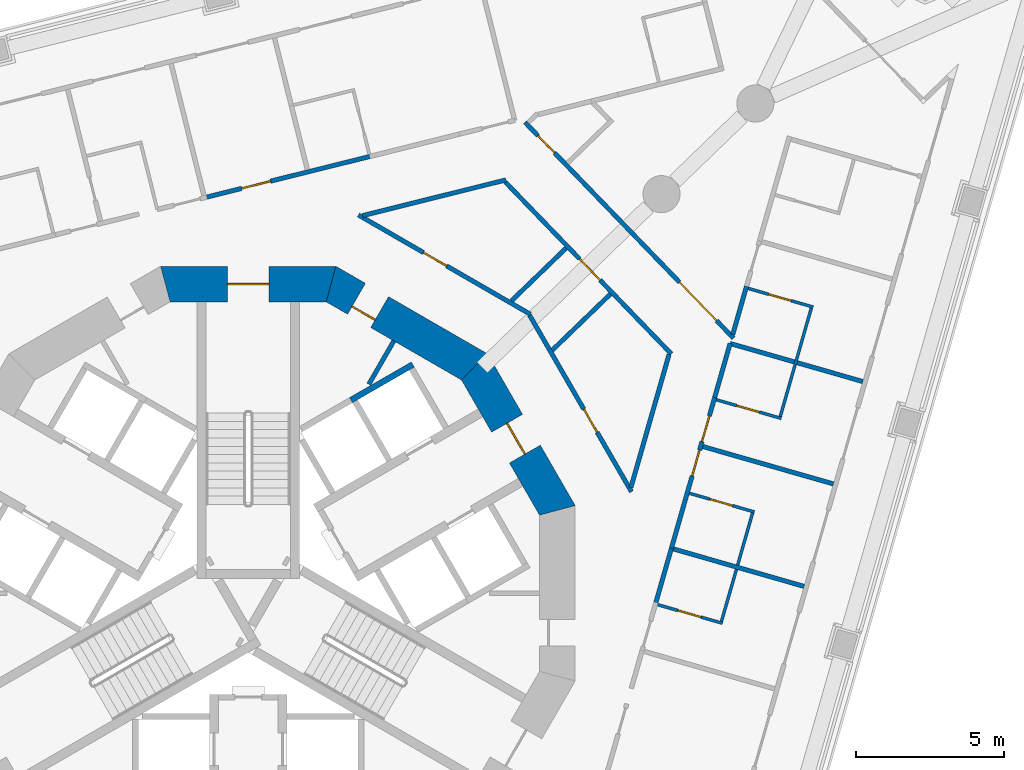
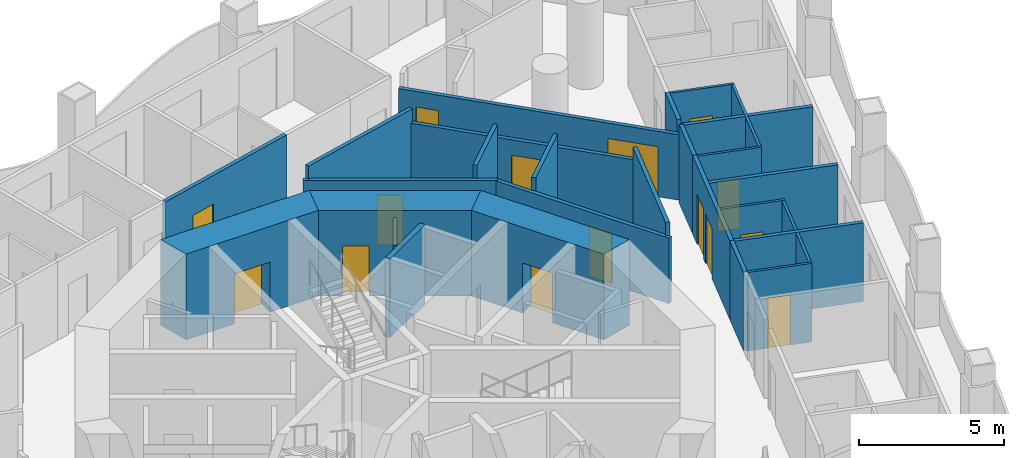
# One storey, part 10 of 20: 28 walls, 15 doors, 15 openings.
"""IFC4 building model written with IfcOpenShell, lengths in metres."""

from ifc_helpers import new_model, si_unit, direction, frame, frame_2d, origin, place, context, subcontext, project, spatial, polyline, rectangle, outline, extrude, material, layer, layer_set, type_object, element, fill, save


model = new_model("IFC4")

# Units and contexts
model_context = context("Model", 3, precision=1e-05, world=origin(), true_north=direction((0.0, 1.0)))
body_context = subcontext(model_context, "Body", "Model", "MODEL_VIEW")
ifc_project = project(units=[si_unit("LENGTHUNIT", "METRE"), si_unit("AREAUNIT", "SQUARE_METRE"), si_unit("VOLUMEUNIT", "CUBIC_METRE"), si_unit("PLANEANGLEUNIT", "RADIAN"), si_unit("MASSUNIT", "GRAM", prefix="KILO")], contexts=[model_context])

# Site, building, storey
site_placement = place(None, origin())
site = spatial("IfcSite", under=ifc_project, at=site_placement, CompositionType="ELEMENT")
building_placement = place(site_placement, origin())
building = spatial("IfcBuilding", under=site, at=building_placement, Name="Trine Commons Tower", CompositionType="ELEMENT")
storey_placement = place(building_placement, frame((0.0, 0.0, 108.89990234375)))
storey = spatial("IfcBuildingStorey", under=building, at=storey_placement, Name="L27", CompositionType="ELEMENT", Elevation=108.89990234375)

# Wall
ifc_material_1 = material(Name="Plasterboard partition on steel studs", Category="steel")
ifc_layer_1 = layer(ifc_material_1, 0.14990234375)
ifc_layer_set_1 = layer_set([ifc_layer_1], Name="Plasterboard partition on steel studs")
wall_type_1 = type_object("IfcWallType", Name="Core room partition 150 mm, EI 60", PredefinedType="PARTITIONING", material=ifc_layer_set_1)
wall_1_placement = place(storey_placement, frame((84.905029296875, 70.9970703125, 0.0), z_axis=(0.0, 0.0, 1.0), x_axis=(-0.500115728942, -0.865958577338, 0.0)))
element("IfcWall", 1, at=wall_1_placement, inside=storey, type_object=wall_type_1, Name="Core room partition L27", PredefinedType="PARTITIONING", context=body_context, shape_type="SweptSolid", body=[
    extrude(rectangle(XDim=1.68359375, YDim=0.14990234375, at=frame_2d((0.841796875, 0.0))), origin(), (0.0, 0.0, 1.0), 3.300048828125),
])

# Wall, opening, door
ifc_material_2 = material(Name="Concrete C70/85", Category="concrete")
ifc_layer_2 = layer(ifc_material_2, 1.199951171875)
ifc_layer_set_2 = layer_set([ifc_layer_2], Name="Concrete C70/85")
wall_type_2 = type_object("IfcWallType", Name="RC shear wall 1200 mm, C70/85", PredefinedType="SHEAR", material=ifc_layer_set_2)
wall_2_placement = place(storey_placement, frame((90.491943359375, 65.150390625, 0.0), z_axis=(0.0, 0.0, 1.0), x_axis=(-0.499979111662, 0.866037463336, 0.0)))
wall_2 = element("IfcWall", 2, at=wall_2_placement, inside=storey, type_object=wall_type_2, Name="Core wall CWC-02 L27", PredefinedType="SHEAR", context=body_context, shape_type="SweptSolid", body=[
    extrude(outline(polyline([(0.0, -0.60009765625), (5.901123046875, -0.60009765625), (5.57958984375, 0.60009765625), (0.321533203125, 0.60009765625), (0.0, -0.60009765625)])), origin(), (0.0, 0.0, 1.0), 3.60009765625),
])
opening_1_placement = place(wall_2_placement, frame((2.3505859375, 0.0, 0.0)))
opening_1 = element("IfcOpeningElement", 3, at=opening_1_placement, cuts=wall_2, Name="Opening K06.04", PredefinedType="OPENING", context=body_context, shape_type="SweptSolid", body=[
    extrude(rectangle(XDim=1.199951171875, YDim=2.10009765625, at=frame_2d((0.60009765625, 1.050048828125))), frame((0.0, 0.60986328125, 0.0), z_axis=(0.0, -1.0, 0.0), x_axis=(1.0, 0.0, 0.0)), (0.0, 0.0, 1.0), 1.219970703125),
])
ifc_material_3 = material(Name="Steel door leaves, fire-rated", Category="steel")
door_type_1 = type_object("IfcDoorType", Name="Lobby door, double leaf 1200 x 2100, FD60", OperationType="DOUBLE_DOOR_SINGLE_SWING", PredefinedType="DOOR", material=ifc_material_3)
door_1_placement = place(opening_1_placement, origin())
door_1 = element("IfcDoor", 4, at=door_1_placement, inside=storey, type_object=door_type_1, Name="Lobby door, Passenger lift lobby A L27", OperationType="DOUBLE_DOOR_SINGLE_SWING", OverallHeight=2.10009765625, OverallWidth=1.199951171875, PredefinedType="DOOR", context=body_context, shape_type="SweptSolid", body=[
    extrude(rectangle(XDim=1.199951171875, YDim=2.10009765625, at=frame_2d((0.60009765625, 1.050048828125))), frame((0.0, 0.02490234375, 0.0), z_axis=(0.0, -1.0, 0.0), x_axis=(1.0, 0.0, 0.0)), (0.0, 0.0, 1.0), 0.050048828125),
])
fill(opening_1, door_1)

wall_3_placement = place(storey_placement, frame((87.760986328125, 70.04150390625, 0.0), z_axis=(0.0, 0.0, 1.0), x_axis=(-0.866037463336, 0.499979111662, 0.0)))
wall_3 = element("IfcWall", 5, at=wall_3_placement, inside=storey, type_object=wall_type_2, Name="Core wall CWC-03 L27", PredefinedType="SHEAR", context=body_context, shape_type="SweptSolid", body=[
    extrude(outline(polyline([(0.0, -0.60009765625), (5.901123046875, -0.60009765625), (5.57958984375, 0.60009765625), (0.321533203125, 0.60009765625), (0.0, -0.60009765625)])), origin(), (0.0, 0.0, 1.0), 3.60009765625),
])
opening_2_placement = place(wall_3_placement, frame((3.8515625, 0.0, 0.0)))
opening_2 = element("IfcOpeningElement", 6, at=opening_2_placement, cuts=wall_3, Name="Opening K06.12", PredefinedType="OPENING", context=body_context, shape_type="SweptSolid", body=[
    extrude(rectangle(XDim=0.89990234375, YDim=2.10009765625, at=frame_2d((0.449951171875, 1.050048828125))), frame((0.0, 0.60986328125, 0.0), z_axis=(0.0, -1.0, 0.0), x_axis=(1.0, 0.0, 0.0)), (0.0, 0.0, 1.0), 1.219970703125),
])
ifc_material_4 = material(Name="Steel door leaf, fire-rated", Category="steel")
door_type_2 = type_object("IfcDoorType", Name="Core room door, single leaf 900 x 2100, FD30S", OperationType="SINGLE_SWING_LEFT", PredefinedType="DOOR", material=ifc_material_4)
door_2_placement = place(opening_2_placement, origin())
door_2 = element("IfcDoor", 7, at=door_2_placement, inside=storey, type_object=door_type_2, Name="Door to Cleaner's store L27", OperationType="SINGLE_SWING_RIGHT", OverallHeight=2.10009765625, OverallWidth=0.89990234375, PredefinedType="DOOR", context=body_context, shape_type="SweptSolid", body=[
    extrude(rectangle(XDim=0.89990234375, YDim=2.10009765625, at=frame_2d((0.449951171875, 1.050048828125))), frame((0.0, 0.3251953125, 0.0), z_axis=(0.0, -1.0, 0.0), x_axis=(1.0, 0.0, 0.0)), (0.0, 0.0, 1.0), 0.050048828125),
])
fill(opening_2, door_2)

wall_4_placement = place(storey_placement, frame((82.950439453125, 72.91162109375, 0.0), z_axis=(0.0, 0.0, 1.0), x_axis=(-1.0, 0.0, 0.0)))
wall_4 = element("IfcWall", 8, at=wall_4_placement, inside=storey, type_object=wall_type_2, Name="Core wall CWC-04 L27", PredefinedType="SHEAR", context=body_context, shape_type="SweptSolid", body=[
    extrude(outline(polyline([(0.0, -0.60009765625), (5.90087890625, -0.60009765625), (5.57958984375, 0.60009765625), (0.321533203125, 0.60009765625), (0.0, -0.60009765625)])), origin(), (0.0, 0.0, 1.0), 3.60009765625),
])
opening_3_placement = place(wall_4_placement, frame((2.25048828125, 0.0, 0.0)))
opening_3 = element("IfcOpeningElement", 9, at=opening_3_placement, cuts=wall_4, Name="Opening K06.01", PredefinedType="OPENING", context=body_context, shape_type="SweptSolid", body=[
    extrude(rectangle(XDim=1.39990234375, YDim=2.10009765625, at=frame_2d((0.699951171875, 1.050048828125))), frame((0.0, 0.60986328125, 0.0), z_axis=(0.0, -1.0, 0.0), x_axis=(1.0, 0.0, 0.0)), (0.0, 0.0, 1.0), 1.219970703125),
])
door_type_3 = type_object("IfcDoorType", Name="Stair door, double leaf 1400 x 2100, FD90", OperationType="DOUBLE_DOOR_SINGLE_SWING", PredefinedType="DOOR", material=ifc_material_3)
door_3_placement = place(opening_3_placement, origin())
door_3 = element("IfcDoor", 10, at=door_3_placement, inside=storey, type_object=door_type_3, Name="Stair door to Exit stair ST1A L27", OperationType="DOUBLE_DOOR_SINGLE_SWING", OverallHeight=2.10009765625, OverallWidth=1.39990234375, PredefinedType="DOOR", context=body_context, shape_type="SweptSolid", body=[
    extrude(rectangle(XDim=1.39990234375, YDim=2.10009765625, at=frame_2d((0.699951171875, 1.050048828125))), frame((0.0, 0.02490234375, 0.0), z_axis=(0.0, -1.0, 0.0), x_axis=(1.0, 0.0, 0.0)), (0.0, 0.0, 1.0), 0.050048828125),
])
fill(opening_3, door_3)

# Wall
ifc_material_5 = material(Name="Fire-rated gypsum shaft wall system")
ifc_layer_3 = layer(ifc_material_5, 0.199951171875)
ifc_layer_set_3 = layer_set([ifc_layer_3], Name="Fire-rated gypsum shaft wall system")
wall_type_3 = type_object("IfcWallType", Name="Shaft wall 200 mm, EI 120", PredefinedType="PARTITIONING", material=ifc_layer_set_3)
wall_5_placement = place(storey_placement, frame((83.4619140625, 69.001953125, 0.0), z_axis=(0.0, 0.0, 1.0), x_axis=(0.866202511239, 0.499693115345, 0.0)))
element("IfcWall", 11, at=wall_5_placement, inside=storey, type_object=wall_type_3, Name="Shaft wall L27", PredefinedType="PARTITIONING", context=body_context, shape_type="SweptSolid", body=[
    extrude(rectangle(XDim=2.4013671875, YDim=0.199951171875, at=frame_2d((1.20068359375, 0.0))), origin(), (0.0, 0.0, 1.0), 3.300048828125),
])

# Wall, opening, door
ifc_material_6 = material(Name="Gypsum plasterboard on steel stud", Category="steel")
ifc_layer_4 = layer(ifc_material_6, 0.14990234375)
ifc_layer_set_4 = layer_set([ifc_layer_4], Name="Gypsum plasterboard on steel stud")
wall_type_4 = type_object("IfcWallType", Name="Unit and corridor wall 150 mm, EI 60", PredefinedType="PARTITIONING", material=ifc_layer_set_4)
wall_6_placement = place(storey_placement, frame((78.52392578125, 75.820068359375, 0.0), z_axis=(0.0, 0.0, 1.0), x_axis=(0.970305795141, 0.241881508008, 0.0)))
wall_6 = element("IfcWall", 12, at=wall_6_placement, inside=storey, type_object=wall_type_4, Name="Partition 067", PredefinedType="PARTITIONING", context=body_context, shape_type="SweptSolid", body=[
    extrude(rectangle(XDim=5.796630859375, YDim=0.14990234375, at=frame_2d((2.8984375, 0.0))), origin(), (0.0, 0.0, 1.0), 3.300048828125),
])
opening_4_placement = place(wall_6_placement, frame((1.29833984375, 0.0, 0.0)))
opening_4 = element("IfcOpeningElement", 13, at=opening_4_placement, cuts=wall_6, Name="Opening D-3C13", PredefinedType="OPENING", context=body_context, shape_type="SweptSolid", body=[
    extrude(rectangle(XDim=1.0, YDim=2.10009765625, at=frame_2d((0.5, 1.050048828125))), frame((0.0, 0.0849609375, 0.0), z_axis=(0.0, -1.0, 0.0), x_axis=(1.0, 0.0, 0.0)), (0.0, 0.0, 1.0), 0.169921875),
])
ifc_material_7 = material(Name="Painted timber", Category="wood")
door_type_4 = type_object("IfcDoorType", Name="Amenity room door 1000 x 2100, NOT RATED", OperationType="NOTDEFINED", PredefinedType="DOOR", material=ifc_material_7)
door_4_placement = place(opening_4_placement, origin())
door_4 = element("IfcDoor", 14, at=door_4_placement, inside=storey, type_object=door_type_4, Name="Door D-3C13", OperationType="SINGLE_SWING_LEFT", OverallHeight=2.10009765625, OverallWidth=1.0, PredefinedType="DOOR", context=body_context, shape_type="SweptSolid", body=[
    extrude(rectangle(XDim=1.0, YDim=2.10009765625, at=frame_2d((0.5, 1.050048828125))), frame((0.0, 0.02490234375, 0.0), z_axis=(0.0, -1.0, 0.0), x_axis=(1.0, 0.0, 0.0)), (0.0, 0.0, 1.0), 0.050048828125),
])
fill(opening_4, door_4)

wall_7_placement = place(storey_placement, frame((83.7119140625, 75.237548828125, 0.0), z_axis=(0.0, 0.0, 1.0), x_axis=(0.866033484359, -0.499986003774, 0.0)))
wall_7 = element("IfcWall", 15, at=wall_7_placement, inside=storey, type_object=wall_type_4, Name="Partition 084", PredefinedType="PARTITIONING", context=body_context, shape_type="SweptSolid", body=[
    extrude(rectangle(XDim=6.682373046875, YDim=0.14990234375, at=frame_2d((3.34130859375, 0.0))), origin(), (0.0, 0.0, 1.0), 2.75),
])
opening_5_placement = place(wall_7_placement, frame((2.53271484375, 0.0, 0.0)))
opening_5 = element("IfcOpeningElement", 16, at=opening_5_placement, cuts=wall_7, Name="Opening D-3C35", PredefinedType="OPENING", context=body_context, shape_type="SweptSolid", body=[
    extrude(rectangle(XDim=0.89990234375, YDim=2.10009765625, at=frame_2d((0.449951171875, 1.050048828125))), frame((0.0, 0.0849609375, 0.0), z_axis=(0.0, -1.0, 0.0), x_axis=(1.0, 0.0, 0.0)), (0.0, 0.0, 1.0), 0.169921875),
])
ifc_material_8 = material(Name="Timber fire door set", Category="wood")
door_type_5 = type_object("IfcDoorType", Name="Service door 900 x 2100, FD30S", OperationType="NOTDEFINED", PredefinedType="DOOR", material=ifc_material_8)
door_5_placement = place(opening_5_placement, origin())
door_5 = element("IfcDoor", 17, at=door_5_placement, inside=storey, type_object=door_type_5, Name="Door D-3C35", OperationType="SINGLE_SWING_LEFT", OverallHeight=2.10009765625, OverallWidth=0.89990234375, PredefinedType="DOOR", context=body_context, shape_type="SweptSolid", body=[
    extrude(rectangle(XDim=0.89990234375, YDim=2.10009765625, at=frame_2d((0.449951171875, 1.050048828125))), frame((0.0, 0.02490234375, 0.0), z_axis=(0.0, -1.0, 0.0), x_axis=(1.0, 0.0, 0.0)), (0.0, 0.0, 1.0), 0.050048828125),
])
fill(opening_5, door_5)

# Wall
wall_8_placement = place(storey_placement, frame((83.852783203125, 75.216064453125, 0.0), z_axis=(0.0, 0.0, 1.0), x_axis=(0.970312588938, 0.241854253112, 0.0)))
element("IfcWall", 18, at=wall_8_placement, inside=storey, type_object=wall_type_4, Name="Partition 085", PredefinedType="PARTITIONING", context=body_context, shape_type="SweptSolid", body=[
    extrude(rectangle(XDim=4.974609375, YDim=0.14990234375, at=frame_2d((2.4873046875, 0.0))), origin(), (0.0, 0.0, 1.0), 3.300048828125),
])

# Wall, opening, door
wall_9_placement = place(storey_placement, frame((88.6591796875, 76.34716796875, 0.0), z_axis=(0.0, 0.0, 1.0), x_axis=(0.694672534157, -0.719326122345, 0.0)))
wall_9 = element("IfcWall", 19, at=wall_9_placement, inside=storey, type_object=wall_type_4, Name="Partition 106", PredefinedType="PARTITIONING", context=body_context, shape_type="SweptSolid", body=[
    extrude(rectangle(XDim=8.041015625, YDim=0.14990234375, at=frame_2d((4.0205078125, 0.0))), origin(), (0.0, 0.0, 1.0), 2.75),
])
opening_6_placement = place(wall_9_placement, frame((3.595458984375, 0.0, 0.0)))
opening_6 = element("IfcOpeningElement", 20, at=opening_6_placement, cuts=wall_9, Name="Opening D-3C42", PredefinedType="OPENING", context=body_context, shape_type="SweptSolid", body=[
    extrude(rectangle(XDim=1.0, YDim=2.10009765625, at=frame_2d((0.5, 1.050048828125))), frame((0.0, 0.0849609375, 0.0), z_axis=(0.0, -1.0, 0.0), x_axis=(1.0, 0.0, 0.0)), (0.0, 0.0, 1.0), 0.169921875),
])
door_type_6 = type_object("IfcDoorType", Name="Toilet door 1000 x 2100, NOT RATED", OperationType="NOTDEFINED", PredefinedType="DOOR", material=ifc_material_7)
door_6_placement = place(opening_6_placement, frame((1.0, 0.0, 0.0), z_axis=(0.0, 0.0, 1.0), x_axis=(-1.0, 0.0, 0.0)))
door_6 = element("IfcDoor", 21, at=door_6_placement, inside=storey, type_object=door_type_6, Name="Door D-3C42", OperationType="SINGLE_SWING_LEFT", OverallHeight=2.10009765625, OverallWidth=1.0, PredefinedType="DOOR", context=body_context, shape_type="SweptSolid", body=[
    extrude(rectangle(XDim=1.0, YDim=2.10009765625, at=frame_2d((0.5, 1.050048828125))), frame((0.0, 0.02490234375, 0.0), z_axis=(0.0, -1.0, 0.0), x_axis=(1.0, 0.0, 0.0)), (0.0, 0.0, 1.0), 0.050048828125),
])
fill(opening_6, door_6)

# Wall
wall_10_placement = place(storey_placement, frame((88.864013671875, 72.34619140625, 0.0), z_axis=(0.0, 0.0, 1.0), x_axis=(0.719366900494, 0.694630306332, 0.0)))
element("IfcWall", 22, at=wall_10_placement, inside=storey, type_object=wall_type_4, Name="Partition 107", PredefinedType="PARTITIONING", context=body_context, shape_type="SweptSolid", body=[
    extrude(rectangle(XDim=2.55615234375, YDim=0.14990234375, at=frame_2d((1.278076171875, 0.0))), origin(), (0.0, 0.0, 1.0), 3.300048828125),
])

# Wall, openings, doors
wall_11_placement = place(storey_placement, frame((89.322998046875, 78.35791015625, 0.0), z_axis=(0.0, 0.0, 1.0), x_axis=(0.694707851552, -0.719292013713, 0.0)))
wall_11 = element("IfcWall", 23, at=wall_11_placement, inside=storey, type_object=wall_type_4, Name="Partition 112", PredefinedType="PARTITIONING", context=body_context, shape_type="SweptSolid", body=[
    extrude(rectangle(XDim=10.109619140625, YDim=0.14990234375, at=frame_2d((5.0546875, 0.0))), origin(), (0.0, 0.0, 1.0), 2.75),
])
opening_7_placement = place(wall_11_placement, frame((7.484130859375, 0.0, 0.0)))
opening_7 = element("IfcOpeningElement", 24, at=opening_7_placement, cuts=wall_11, Name="Opening D-3C01", PredefinedType="OPENING", context=body_context, shape_type="SweptSolid", body=[
    extrude(rectangle(XDim=1.800048828125, YDim=2.10009765625, at=frame_2d((0.89990234375, 1.050048828125))), frame((0.0, 0.0849609375, 0.0), z_axis=(0.0, -1.0, 0.0), x_axis=(1.0, 0.0, 0.0)), (0.0, 0.0, 1.0), 0.169921875),
])
opening_8_placement = place(wall_11_placement, frame((0.628662109375, 0.0, 0.0)))
opening_8 = element("IfcOpeningElement", 25, at=opening_8_placement, cuts=wall_11, Name="Opening D-3C04", PredefinedType="OPENING", context=body_context, shape_type="SweptSolid", body=[
    extrude(rectangle(XDim=0.800048828125, YDim=2.10009765625, at=frame_2d((0.39990234375, 1.050048828125))), frame((0.0, 0.0849609375, 0.0), z_axis=(0.0, -1.0, 0.0), x_axis=(1.0, 0.0, 0.0)), (0.0, 0.0, 1.0), 0.169921875),
])
door_type_7 = type_object("IfcDoorType", Name="Cluster entrance door 1800 x 2100, double leaf, FD30S", OperationType="DOUBLE_DOOR_DOUBLE_SWING", PredefinedType="DOOR", material=ifc_material_8)
door_7_placement = place(opening_7_placement, origin())
door_7 = element("IfcDoor", 26, at=door_7_placement, inside=storey, type_object=door_type_7, Name="Door D-3C01", OperationType="DOUBLE_DOOR_DOUBLE_SWING", OverallHeight=2.10009765625, OverallWidth=1.800048828125, PredefinedType="DOOR", context=body_context, shape_type="SweptSolid", body=[
    extrude(rectangle(XDim=1.800048828125, YDim=2.10009765625, at=frame_2d((0.89990234375, 1.050048828125))), frame((0.0, 0.02490234375, 0.0), z_axis=(0.0, -1.0, 0.0), x_axis=(1.0, 0.0, 0.0)), (0.0, 0.0, 1.0), 0.050048828125),
])
fill(opening_7, door_7)
door_type_8 = type_object("IfcDoorType", Name="Toilet door 800 x 2100, NOT RATED", OperationType="NOTDEFINED", PredefinedType="DOOR", material=ifc_material_7)
door_8_placement = place(opening_8_placement, origin())
door_8 = element("IfcDoor", 27, at=door_8_placement, inside=storey, type_object=door_type_8, Name="Door D-3C04", OperationType="SINGLE_SWING_LEFT", OverallHeight=2.10009765625, OverallWidth=0.800048828125, PredefinedType="DOOR", context=body_context, shape_type="SweptSolid", body=[
    extrude(rectangle(XDim=0.800048828125, YDim=2.10009765625, at=frame_2d((0.39990234375, 1.050048828125))), frame((0.0, 0.02490234375, 0.0), z_axis=(0.0, -1.0, 0.0), x_axis=(1.0, 0.0, 0.0)), (0.0, 0.0, 1.0), 0.050048828125),
])
fill(opening_8, door_8)

# Wall, opening, door
wall_12_placement = place(storey_placement, frame((89.471435546875, 71.868896484375, 0.0), z_axis=(0.0, 0.0, 1.0), x_axis=(0.500000410344, -0.866025166872, 0.0)))
wall_12 = element("IfcWall", 28, at=wall_12_placement, inside=storey, type_object=wall_type_4, Name="Partition 114", PredefinedType="PARTITIONING", context=body_context, shape_type="SweptSolid", body=[
    extrude(rectangle(XDim=6.8681640625, YDim=0.14990234375, at=frame_2d((3.43408203125, 0.0))), origin(), (0.0, 0.0, 1.0), 2.75),
])
opening_9_placement = place(wall_12_placement, frame((3.65869140625, 0.0, 0.0)))
opening_9 = element("IfcOpeningElement", 29, at=opening_9_placement, cuts=wall_12, Name="Opening D-3C37", PredefinedType="OPENING", context=body_context, shape_type="SweptSolid", body=[
    extrude(rectangle(XDim=0.89990234375, YDim=2.10009765625, at=frame_2d((0.449951171875, 1.050048828125))), frame((0.0, 0.0849609375, 0.0), z_axis=(0.0, -1.0, 0.0), x_axis=(1.0, 0.0, 0.0)), (0.0, 0.0, 1.0), 0.169921875),
])
door_9_placement = place(opening_9_placement, origin())
door_9 = element("IfcDoor", 30, at=door_9_placement, inside=storey, type_object=door_type_5, Name="Door D-3C37", OperationType="SINGLE_SWING_RIGHT", OverallHeight=2.10009765625, OverallWidth=0.89990234375, PredefinedType="DOOR", context=body_context, shape_type="SweptSolid", body=[
    extrude(rectangle(XDim=0.89990234375, YDim=2.10009765625, at=frame_2d((0.449951171875, 1.050048828125))), frame((0.0, 0.02490234375, 0.0), z_axis=(0.0, -1.0, 0.0), x_axis=(1.0, 0.0, 0.0)), (0.0, 0.0, 1.0), 0.050048828125),
])
fill(opening_9, door_9)

# Walls
wall_13_placement = place(storey_placement, frame((90.239013671875, 70.68408203125, 0.0), z_axis=(0.0, 0.0, 1.0), x_axis=(0.719152656364, 0.694852111492, 0.0)))
element("IfcWall", 31, at=wall_13_placement, inside=storey, type_object=wall_type_4, Name="Partition 118", PredefinedType="PARTITIONING", context=body_context, shape_type="SweptSolid", body=[
    extrude(rectangle(XDim=2.72265625, YDim=0.14990234375, at=frame_2d((1.361328125, 0.0))), origin(), (0.0, 0.0, 1.0), 3.300048828125),
])
wall_14_placement = place(storey_placement, frame((92.88671875, 66.06103515625, 0.0), z_axis=(0.0, 0.0, 1.0), x_axis=(0.275619666794, 0.961266768008, 0.0)))
element("IfcWall", 32, at=wall_14_placement, inside=storey, type_object=wall_type_4, Name="Partition 127", PredefinedType="PARTITIONING", context=body_context, shape_type="SweptSolid", body=[
    extrude(rectangle(XDim=4.66455078125, YDim=0.14990234375, at=frame_2d((2.332275390625, 0.0))), origin(), (0.0, 0.0, 1.0), 3.300048828125),
])
wall_15_placement = place(storey_placement, frame((93.7119140625, 62.134033203125, 0.0), z_axis=(0.0, 0.0, 1.0), x_axis=(0.275675684966, 0.961250704405, 0.0)))
element("IfcWall", 33, at=wall_15_placement, inside=storey, type_object=wall_type_4, Name="Partition 135", PredefinedType="PARTITIONING", context=body_context, shape_type="SweptSolid", body=[
    extrude(rectangle(XDim=1.958984375, YDim=0.14990234375, at=frame_2d((0.9794921875, 0.0))), origin(), (0.0, 0.0, 1.0), 3.300048828125),
])

# Wall, openings, doors
wall_16_placement = place(storey_placement, frame((94.228271484375, 63.93701171875, 0.0), z_axis=(0.0, 0.0, 1.0), x_axis=(0.275671537748, 0.96125189377, 0.0)))
wall_16 = element("IfcWall", 34, at=wall_16_placement, inside=storey, type_object=wall_type_4, Name="Partition 137", PredefinedType="PARTITIONING", context=body_context, shape_type="SweptSolid", body=[
    extrude(rectangle(XDim=5.35986328125, YDim=0.14990234375, at=frame_2d((2.679931640625, 0.0))), origin(), (0.0, 0.0, 1.0), 3.300048828125),
])
opening_10_placement = place(wall_16_placement, frame((3.817138671875, 0.0, 0.0)))
opening_10 = element("IfcOpeningElement", 35, at=opening_10_placement, cuts=wall_16, Name="Opening D-3C18", PredefinedType="OPENING", context=body_context, shape_type="SweptSolid", body=[
    extrude(rectangle(XDim=0.89990234375, YDim=2.10009765625, at=frame_2d((0.449951171875, 1.050048828125))), frame((0.0, 0.0849609375, 0.0), z_axis=(0.0, -1.0, 0.0), x_axis=(1.0, 0.0, 0.0)), (0.0, 0.0, 1.0), 0.169921875),
])
opening_11_placement = place(wall_16_placement, frame((2.6171875, 0.0, 0.0)))
opening_11 = element("IfcOpeningElement", 36, at=opening_11_placement, cuts=wall_16, Name="Opening D-3C19", PredefinedType="OPENING", context=body_context, shape_type="SweptSolid", body=[
    extrude(rectangle(XDim=0.89990234375, YDim=2.10009765625, at=frame_2d((0.449951171875, 1.050048828125))), frame((0.0, 0.0849609375, 0.0), z_axis=(0.0, -1.0, 0.0), x_axis=(1.0, 0.0, 0.0)), (0.0, 0.0, 1.0), 0.169921875),
])
door_type_9 = type_object("IfcDoorType", Name="Bedroom door 900 x 2100, FD30S", OperationType="NOTDEFINED", PredefinedType="DOOR", material=ifc_material_8)
door_10_placement = place(opening_10_placement, frame((0.89990234375, 0.0, 0.0), z_axis=(0.0, 0.0, 1.0), x_axis=(-1.0, 0.0, 0.0)))
door_10 = element("IfcDoor", 37, at=door_10_placement, inside=storey, type_object=door_type_9, Name="Door D-3C18", OperationType="SINGLE_SWING_LEFT", OverallHeight=2.10009765625, OverallWidth=0.89990234375, PredefinedType="DOOR", context=body_context, shape_type="SweptSolid", body=[
    extrude(rectangle(XDim=0.89990234375, YDim=2.10009765625, at=frame_2d((0.449951171875, 1.050048828125))), frame((0.0, 0.02490234375, 0.0), z_axis=(0.0, -1.0, 0.0), x_axis=(1.0, 0.0, 0.0)), (0.0, 0.0, 1.0), 0.050048828125),
])
fill(opening_10, door_10)
door_11_placement = place(opening_11_placement, frame((0.89990234375, 0.0, 0.0), z_axis=(0.0, 0.0, 1.0), x_axis=(-1.0, 0.0, 0.0)))
door_11 = element("IfcDoor", 38, at=door_11_placement, inside=storey, type_object=door_type_9, Name="Door D-3C19", OperationType="SINGLE_SWING_LEFT", OverallHeight=2.10009765625, OverallWidth=0.89990234375, PredefinedType="DOOR", context=body_context, shape_type="SweptSolid", body=[
    extrude(rectangle(XDim=0.89990234375, YDim=2.10009765625, at=frame_2d((0.449951171875, 1.050048828125))), frame((0.0, 0.02490234375, 0.0), z_axis=(0.0, -1.0, 0.0), x_axis=(1.0, 0.0, 0.0)), (0.0, 0.0, 1.0), 0.050048828125),
])
fill(opening_11, door_11)

# Walls
wall_17_placement = place(storey_placement, frame((94.322021484375, 63.9921875, 0.0), z_axis=(0.0, 0.0, 1.0), x_axis=(0.961269673231, -0.275609534171, 0.0)))
element("IfcWall", 39, at=wall_17_placement, inside=storey, type_object=wall_type_4, Name="Partition 138", PredefinedType="PARTITIONING", context=body_context, shape_type="SweptSolid", body=[
    extrude(rectangle(XDim=4.572509765625, YDim=0.14990234375, at=frame_2d((2.2861328125, 0.0))), origin(), (0.0, 0.0, 1.0), 3.300048828125),
])
wall_18_placement = place(storey_placement, frame((95.31103515625, 67.44140625, 0.0), z_axis=(0.0, 0.0, 1.0), x_axis=(0.961255526758, -0.275658869398, 0.0)))
element("IfcWall", 40, at=wall_18_placement, inside=storey, type_object=wall_type_4, Name="Partition 141", PredefinedType="PARTITIONING", context=body_context, shape_type="SweptSolid", body=[
    extrude(rectangle(XDim=4.57275390625, YDim=0.14990234375, at=frame_2d((2.286376953125, 0.0))), origin(), (0.0, 0.0, 1.0), 3.300048828125),
])
wall_19_placement = place(storey_placement, frame((95.70703125, 69.092041015625, 0.0), z_axis=(0.0, 0.0, 1.0), x_axis=(0.275265230362, 0.961368323253, 0.0)))
element("IfcWall", 41, at=wall_19_placement, inside=storey, type_object=wall_type_4, Name="Partition 144", PredefinedType="PARTITIONING", context=body_context, shape_type="SweptSolid", body=[
    extrude(rectangle(XDim=1.896240234375, YDim=0.14990234375, at=frame_2d((0.9482421875, 0.0))), origin(), (0.0, 0.0, 1.0), 3.300048828125),
])
wall_20_placement = place(storey_placement, frame((96.22802734375, 70.910888671875, 0.0), z_axis=(0.0, 0.0, 1.0), x_axis=(0.961263836782, -0.275629889699, 0.0)))
element("IfcWall", 42, at=wall_20_placement, inside=storey, type_object=wall_type_4, Name="Partition 146", PredefinedType="PARTITIONING", context=body_context, shape_type="SweptSolid", body=[
    extrude(rectangle(XDim=4.6474609375, YDim=0.14990234375, at=frame_2d((2.32373046875, 0.0))), origin(), (0.0, 0.0, 1.0), 3.300048828125),
])
wall_21_placement = place(storey_placement, frame((96.314697265625, 71.212158203125, 0.0), z_axis=(0.0, 0.0, 1.0), x_axis=(0.275540757527, 0.9612893898, 0.0)))
element("IfcWall", 43, at=wall_21_placement, inside=storey, type_object=wall_type_4, Name="Partition 147", PredefinedType="PARTITIONING", context=body_context, shape_type="SweptSolid", body=[
    extrude(rectangle(XDim=1.69140625, YDim=0.14990234375, at=frame_2d((0.845703125, 0.0))), origin(), (0.0, 0.0, 1.0), 3.300048828125),
])

# Wall, opening, door
ifc_layer_5 = layer(ifc_material_6, 0.10009765625)
ifc_layer_set_5 = layer_set([ifc_layer_5], Name="Gypsum plasterboard on steel stud")
wall_type_5 = type_object("IfcWallType", Name="Unit partition 100 mm, no rating", PredefinedType="PARTITIONING", material=ifc_layer_set_5)
wall_22_placement = place(storey_placement, frame((93.78515625, 62.1171875, 0.0), z_axis=(0.0, 0.0, 1.0), x_axis=(0.961247989745, -0.27568515051, 0.0)))
wall_22 = element("IfcWall", 44, at=wall_22_placement, inside=storey, type_object=wall_type_5, Name="Partition 136", PredefinedType="PARTITIONING", context=body_context, shape_type="SweptSolid", body=[
    extrude(rectangle(XDim=2.274169921875, YDim=0.10009765625, at=frame_2d((1.13720703125, 0.0))), origin(), (0.0, 0.0, 1.0), 3.300048828125),
])
opening_12_placement = place(wall_22_placement, frame((0.7119140625, 0.0, 0.0)))
opening_12 = element("IfcOpeningElement", 45, at=opening_12_placement, cuts=wall_22, Name="Opening D-3C55", PredefinedType="OPENING", context=body_context, shape_type="SweptSolid", body=[
    extrude(rectangle(XDim=0.800048828125, YDim=2.10009765625, at=frame_2d((0.39990234375, 1.050048828125))), frame((0.0, 0.06005859375, 0.0), z_axis=(0.0, -1.0, 0.0), x_axis=(1.0, 0.0, 0.0)), (0.0, 0.0, 1.0), 0.1201171875),
])
door_type_10 = type_object("IfcDoorType", Name="Internal door 800 x 2100, NOT RATED", OperationType="NOTDEFINED", PredefinedType="DOOR", material=ifc_material_7)
door_12_placement = place(opening_12_placement, frame((0.800048828125, 0.0, 0.0), z_axis=(0.0, 0.0, 1.0), x_axis=(-1.0, 0.0, 0.0)))
door_12 = element("IfcDoor", 46, at=door_12_placement, inside=storey, type_object=door_type_10, Name="Door D-3C55", OperationType="SINGLE_SWING_RIGHT", OverallHeight=2.10009765625, OverallWidth=0.800048828125, PredefinedType="DOOR", context=body_context, shape_type="SweptSolid", body=[
    extrude(rectangle(XDim=0.800048828125, YDim=2.10009765625, at=frame_2d((0.39990234375, 1.050048828125))), frame((0.0, 0.02490234375, 0.0), z_axis=(0.0, -1.0, 0.0), x_axis=(1.0, 0.0, 0.0)), (0.0, 0.0, 1.0), 0.050048828125),
])
fill(opening_12, door_12)

wall_23_placement = place(storey_placement, frame((94.860107421875, 65.8662109375, 0.0), z_axis=(0.0, 0.0, 1.0), x_axis=(0.961247989745, -0.27568515051, 0.0)))
wall_23 = element("IfcWall", 47, at=wall_23_placement, inside=storey, type_object=wall_type_5, Name="Partition 139", PredefinedType="PARTITIONING", context=body_context, shape_type="SweptSolid", body=[
    extrude(rectangle(XDim=2.274169921875, YDim=0.10009765625, at=frame_2d((1.13720703125, 0.0))), origin(), (0.0, 0.0, 1.0), 3.300048828125),
])
opening_13_placement = place(wall_23_placement, frame((0.7119140625, 0.0, 0.0)))
opening_13 = element("IfcOpeningElement", 48, at=opening_13_placement, cuts=wall_23, Name="Opening D-3C54", PredefinedType="OPENING", context=body_context, shape_type="SweptSolid", body=[
    extrude(rectangle(XDim=0.800048828125, YDim=2.10009765625, at=frame_2d((0.39990234375, 1.050048828125))), frame((0.0, 0.06005859375, 0.0), z_axis=(0.0, -1.0, 0.0), x_axis=(1.0, 0.0, 0.0)), (0.0, 0.0, 1.0), 0.1201171875),
])
door_13_placement = place(opening_13_placement, origin())
door_13 = element("IfcDoor", 49, at=door_13_placement, inside=storey, type_object=door_type_10, Name="Door D-3C54", OperationType="SINGLE_SWING_LEFT", OverallHeight=2.10009765625, OverallWidth=0.800048828125, PredefinedType="DOOR", context=body_context, shape_type="SweptSolid", body=[
    extrude(rectangle(XDim=0.800048828125, YDim=2.10009765625, at=frame_2d((0.39990234375, 1.050048828125))), frame((0.0, 0.02490234375, 0.0), z_axis=(0.0, -1.0, 0.0), x_axis=(1.0, 0.0, 0.0)), (0.0, 0.0, 1.0), 0.050048828125),
])
fill(opening_13, door_13)

wall_24_placement = place(storey_placement, frame((95.76318359375, 69.016357421875, 0.0), z_axis=(0.0, 0.0, 1.0), x_axis=(0.961252175385, -0.275670555767, 0.0)))
wall_24 = element("IfcWall", 50, at=wall_24_placement, inside=storey, type_object=wall_type_5, Name="Partition 143", PredefinedType="PARTITIONING", context=body_context, shape_type="SweptSolid", body=[
    extrude(rectangle(XDim=2.275146484375, YDim=0.10009765625, at=frame_2d((1.1376953125, 0.0))), origin(), (0.0, 0.0, 1.0), 3.300048828125),
])
opening_14_placement = place(wall_24_placement, frame((0.71240234375, 0.0, 0.0)))
opening_14 = element("IfcOpeningElement", 51, at=opening_14_placement, cuts=wall_24, Name="Opening D-3C53", PredefinedType="OPENING", context=body_context, shape_type="SweptSolid", body=[
    extrude(rectangle(XDim=0.800048828125, YDim=2.10009765625, at=frame_2d((0.39990234375, 1.050048828125))), frame((0.0, 0.06005859375, 0.0), z_axis=(0.0, -1.0, 0.0), x_axis=(1.0, 0.0, 0.0)), (0.0, 0.0, 1.0), 0.1201171875),
])
door_14_placement = place(opening_14_placement, frame((0.800048828125, 0.0, 0.0), z_axis=(0.0, 0.0, 1.0), x_axis=(-1.0, 0.0, 0.0)))
door_14 = element("IfcDoor", 52, at=door_14_placement, inside=storey, type_object=door_type_10, Name="Door D-3C53", OperationType="SINGLE_SWING_RIGHT", OverallHeight=2.10009765625, OverallWidth=0.800048828125, PredefinedType="DOOR", context=body_context, shape_type="SweptSolid", body=[
    extrude(rectangle(XDim=0.800048828125, YDim=2.10009765625, at=frame_2d((0.39990234375, 1.050048828125))), frame((0.0, 0.02490234375, 0.0), z_axis=(0.0, -1.0, 0.0), x_axis=(1.0, 0.0, 0.0)), (0.0, 0.0, 1.0), 0.050048828125),
])
fill(opening_14, door_14)

# Walls
wall_25_placement = place(storey_placement, frame((95.936767578125, 61.552001953125, 0.0), z_axis=(0.0, 0.0, 1.0), x_axis=(0.275745372376, 0.96123071612, 0.0)))
element("IfcWall", 53, at=wall_25_placement, inside=storey, type_object=wall_type_5, Name="Partition 145", PredefinedType="PARTITIONING", context=body_context, shape_type="SweptSolid", body=[
    extrude(rectangle(XDim=1.82568359375, YDim=0.10009765625, at=frame_2d((0.912841796875, 0.0))), origin(), (0.0, 0.0, 1.0), 3.300048828125),
])
wall_26_placement = place(storey_placement, frame((96.481689453125, 63.451171875, 0.0), z_axis=(0.0, 0.0, 1.0), x_axis=(0.275428095327, 0.96132167577, 0.0)))
element("IfcWall", 54, at=wall_26_placement, inside=storey, type_object=wall_type_5, Name="Partition 148", PredefinedType="PARTITIONING", context=body_context, shape_type="SweptSolid", body=[
    extrude(rectangle(XDim=1.82421875, YDim=0.10009765625, at=frame_2d((0.912109375, 0.0))), origin(), (0.0, 0.0, 1.0), 3.300048828125),
])

# Wall, opening, door
wall_27_placement = place(storey_placement, frame((96.838134765625, 72.765380859375, 0.0), z_axis=(0.0, 0.0, 1.0), x_axis=(0.961219536458, -0.275784340983, 0.0)))
wall_27 = element("IfcWall", 55, at=wall_27_placement, inside=storey, type_object=wall_type_5, Name="Partition 150", PredefinedType="PARTITIONING", context=body_context, shape_type="SweptSolid", body=[
    extrude(rectangle(XDim=2.274169921875, YDim=0.10009765625, at=frame_2d((1.13720703125, 0.0))), origin(), (0.0, 0.0, 1.0), 3.300048828125),
])
opening_15_placement = place(wall_27_placement, frame((0.7119140625, 0.0, 0.0)))
opening_15 = element("IfcOpeningElement", 56, at=opening_15_placement, cuts=wall_27, Name="Opening D-3C52", PredefinedType="OPENING", context=body_context, shape_type="SweptSolid", body=[
    extrude(rectangle(XDim=0.800048828125, YDim=2.10009765625, at=frame_2d((0.39990234375, 1.050048828125))), frame((0.0, 0.06005859375, 0.0), z_axis=(0.0, -1.0, 0.0), x_axis=(1.0, 0.0, 0.0)), (0.0, 0.0, 1.0), 0.1201171875),
])
door_15_placement = place(opening_15_placement, origin())
door_15 = element("IfcDoor", 57, at=door_15_placement, inside=storey, type_object=door_type_10, Name="Door D-3C52", OperationType="SINGLE_SWING_LEFT", OverallHeight=2.10009765625, OverallWidth=0.800048828125, PredefinedType="DOOR", context=body_context, shape_type="SweptSolid", body=[
    extrude(rectangle(XDim=0.800048828125, YDim=2.10009765625, at=frame_2d((0.39990234375, 1.050048828125))), frame((0.0, 0.02490234375, 0.0), z_axis=(0.0, -1.0, 0.0), x_axis=(1.0, 0.0, 0.0)), (0.0, 0.0, 1.0), 0.050048828125),
])
fill(opening_15, door_15)

# Wall
wall_28_placement = place(storey_placement, frame((97.915771484375, 68.451171875, 0.0), z_axis=(0.0, 0.0, 1.0), x_axis=(0.275382977001, 0.961334601467, 0.0)))
element("IfcWall", 58, at=wall_28_placement, inside=storey, type_object=wall_type_5, Name="Partition 154", PredefinedType="PARTITIONING", context=body_context, shape_type="SweptSolid", body=[
    extrude(rectangle(XDim=3.7998046875, YDim=0.10009765625, at=frame_2d((1.89990234375, 0.0))), origin(), (0.0, 0.0, 1.0), 3.300048828125),
])

save(model, "model.ifc")
